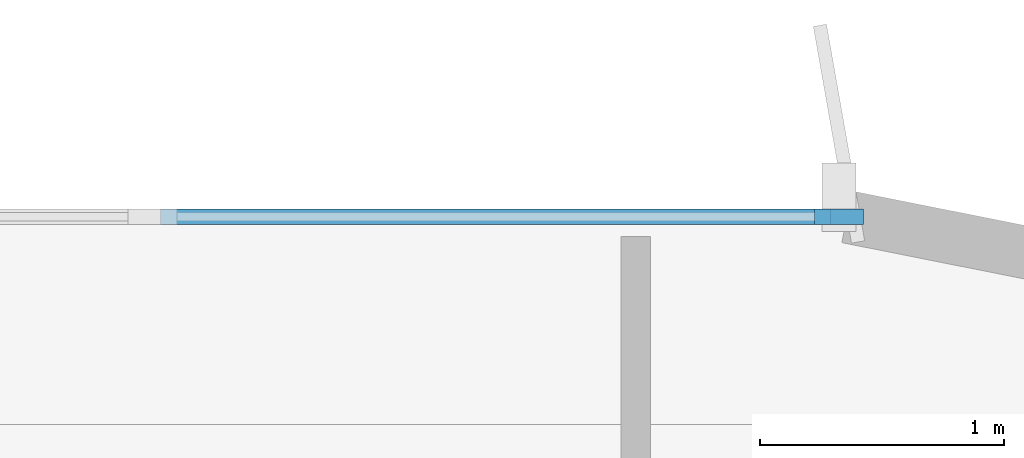
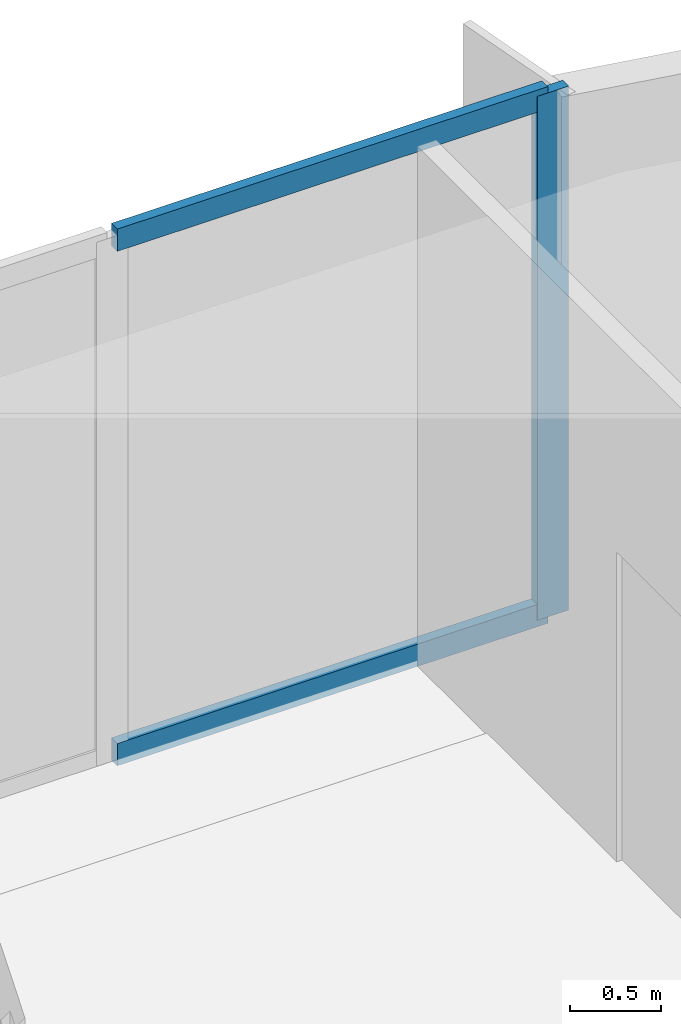
# One storey, part 8 of 18: 3 members, 1 element without a shape of its own.
"""IFC4 building model written with IfcOpenShell, lengths in metres."""

from ifc_helpers import new_model, si_unit, direction, frame, origin, origin_2d, place, context, subcontext, project, spatial, rectangle, extrude, source, transform, mapped, material, layer, layer_set, material_profile, profile_set, type_object, element, aggregate, save


model = new_model("IFC4")

# Units and contexts
model_context = context("Model", 3, precision=1e-05, world=origin(), true_north=direction((0.0, 1.0)))
body_context = subcontext(model_context, "Body", "Model", "MODEL_VIEW")
ifc_project = project(units=[si_unit("LENGTHUNIT", "METRE"), si_unit("AREAUNIT", "SQUARE_METRE"), si_unit("VOLUMEUNIT", "CUBIC_METRE"), si_unit("PLANEANGLEUNIT", "RADIAN"), si_unit("MASSUNIT", "GRAM", prefix="KILO")], contexts=[model_context])

# Site, building, storey
site_placement = place(None, origin())
site = spatial("IfcSite", under=ifc_project, at=site_placement, CompositionType="ELEMENT")
building_placement = place(site_placement, origin())
building = spatial("IfcBuilding", under=site, at=building_placement, Name="Brelvock Crest Care Tower", CompositionType="ELEMENT")
storey_placement = place(building_placement, frame((0.0, 0.0, 72.360107421875)))
storey = spatial("IfcBuildingStorey", under=building, at=storey_placement, Name="L18", CompositionType="ELEMENT", Elevation=72.360107421875)

# Curtain wall, members
ifc_material_1 = material(Name="Dark Glass Double Glazed Low-E", Category="glass")
ifc_layer = layer(ifc_material_1, 0.195068359375, Name="CWS-2")
ifc_layer_set = layer_set([ifc_layer], Name="Dark Glass Double Glazed Low-E")
curtain_wall_type = type_object("IfcCurtainWallType", Name="CWS-2", PredefinedType="NOTDEFINED", material=ifc_layer_set)
curtain_wall_placement = place(storey_placement, origin())
curtain_wall = element("IfcCurtainWall", 1, at=curtain_wall_placement, inside=storey, type_object=curtain_wall_type, Name="L18 Curtain Wall E30", PredefinedType="NOTDEFINED")
ifc_material_2 = material(Name="Aluminium 6063-T6", Category="aluminium")
ifc_material_profile_1 = material_profile(ifc_material_2, rectangle(XDim=0.06494140625, YDim=0.14990234375, at=origin_2d()), Name="ALU65x150")
ifc_profile_set_1 = profile_set([ifc_material_profile_1], Name="Aluminium 6063-T6")
member_type_1 = type_object("IfcMemberType", Name="CWT-1", PredefinedType="USERDEFINED", material=ifc_profile_set_1)
shared_shape_1 = source(origin(), body_context, "Body", "SweptSolid", [
    extrude(rectangle(XDim=0.06494140625, YDim=0.14990234375, at=origin_2d()), origin(), (0.0, 0.0, 1.0), 2.74267578125),
])
member_1_placement = place(storey_placement, frame((53.992431640625, 36.0, 0.032470703125), z_axis=(1.0, 0.0, 0.0), x_axis=(0.0, 1.0, 0.0)))
member_1 = element("IfcMember", 2, at=member_1_placement, type_object=member_type_1, Name="CW-2 transom 5.1", ObjectType="TRANSOM", PredefinedType="USERDEFINED", context=body_context, shape_type="MappedRepresentation", body=[
    mapped(shared_shape_1, transform((0.0, 0.0, 0.0), x_axis=(1.0, 0.0, 0.0), y_axis=(0.0, 1.0, 0.0), z_axis=(0.0, 0.0, 1.0), scale=1.0)),
])
member_2_placement = place(storey_placement, frame((53.992431640625, 36.0, 3.497314453125), z_axis=(1.0, 0.0, 0.0), x_axis=(0.0, 1.0, 0.0)))
member_2 = element("IfcMember", 3, at=member_2_placement, type_object=member_type_1, Name="CW-2 transom 5.2", ObjectType="TRANSOM", PredefinedType="USERDEFINED", context=body_context, shape_type="MappedRepresentation", body=[
    mapped(shared_shape_1, transform((0.0, 0.0, 0.0), x_axis=(1.0, 0.0, 0.0), y_axis=(0.0, 1.0, 0.0), z_axis=(0.0, 0.0, 1.0), scale=1.0)),
])
ifc_material_profile_2 = material_profile(ifc_material_2, rectangle(XDim=0.06494140625, YDim=0.199951171875, at=origin_2d()), Name="ALU65x200")
ifc_profile_set_2 = profile_set([ifc_material_profile_2], Name="Aluminium 6063-T6")
member_type_2 = type_object("IfcMemberType", Name="CWM-1", PredefinedType="MULLION", material=ifc_profile_set_2)
shared_shape_2 = source(origin(), body_context, "Body", "SweptSolid", [
    extrude(rectangle(XDim=0.06494140625, YDim=0.199951171875, at=origin_2d()), origin(), (0.0, 0.0, 1.0), 3.52978515625),
])
member_3_placement = place(storey_placement, frame((56.767578125, 36.0, 0.0), z_axis=(0.0, 0.0, 1.0), x_axis=(0.0, 1.0, 0.0)))
member_3 = element("IfcMember", 4, at=member_3_placement, type_object=member_type_2, Name="CW-2 mullion 6", PredefinedType="MULLION", context=body_context, shape_type="MappedRepresentation", body=[
    mapped(shared_shape_2, transform((0.0, 0.0, 0.0), x_axis=(1.0, 0.0, 0.0), y_axis=(0.0, 1.0, 0.0), z_axis=(0.0, 0.0, 1.0), scale=1.0)),
])
aggregate(curtain_wall, [member_3, member_1, member_2])

save(model, "model.ifc")
